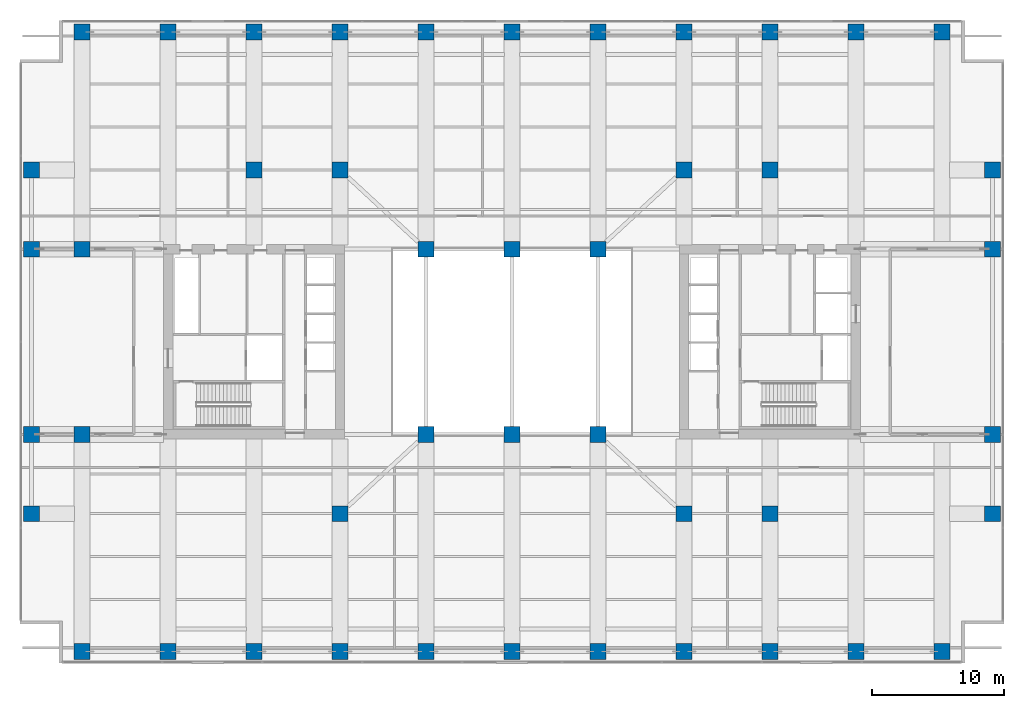
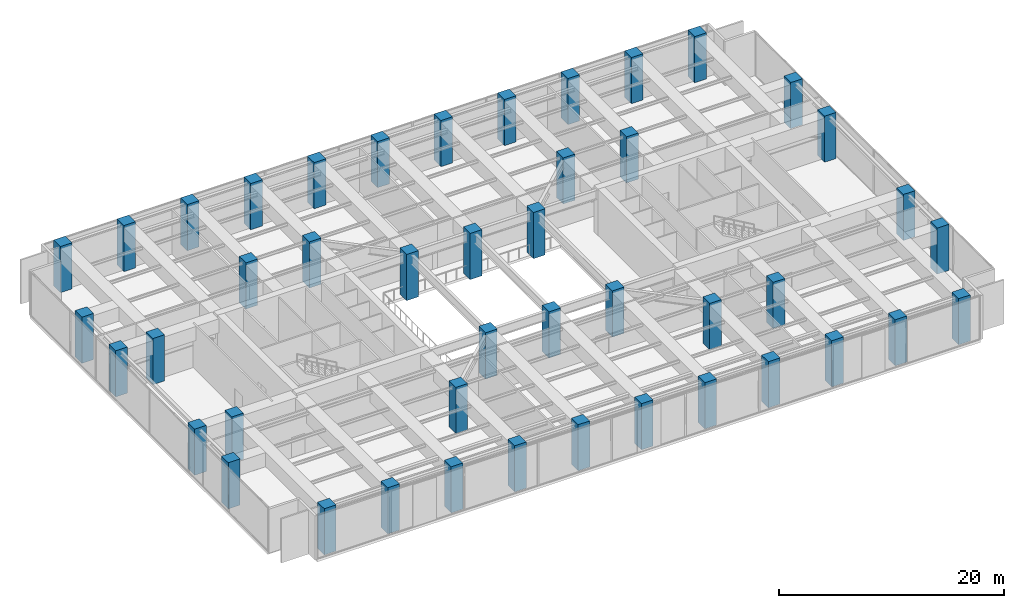
# One storey, part 1 of 28: 45 columns.
"""IFC4 building model written with IfcOpenShell, lengths in metres."""

from ifc_helpers import new_model, si_unit, direction, frame, origin, origin_2d, place, context, subcontext, project, spatial, rectangle, extrude, material, material_profile, profile_set, type_object, element, save


model = new_model("IFC4")

# Units and contexts
model_context = context("Model", 3, precision=1e-05, world=origin(), true_north=direction((0.0, 1.0)))
body_context = subcontext(model_context, "Body", "Model", "MODEL_VIEW")
ifc_project = project(units=[si_unit("LENGTHUNIT", "METRE"), si_unit("AREAUNIT", "SQUARE_METRE"), si_unit("VOLUMEUNIT", "CUBIC_METRE"), si_unit("PLANEANGLEUNIT", "RADIAN"), si_unit("MASSUNIT", "GRAM", prefix="KILO")], contexts=[model_context])

# Site, building, storey
site_placement = place(None, origin())
site = spatial("IfcSite", under=ifc_project, at=site_placement, CompositionType="ELEMENT")
building_placement = place(site_placement, origin())
building = spatial("IfcBuilding", under=site, at=building_placement, Name="Putna Gate Headquarters", CompositionType="ELEMENT")
storey_placement = place(building_placement, frame((0.0, 0.0, 139.199951171875)))
storey = spatial("IfcBuildingStorey", under=building, at=storey_placement, Name="L34", CompositionType="ELEMENT", Elevation=139.199951171875)

# Columns
ifc_material = material(Name="Concrete C60/75", Category="concrete")
ifc_material_profile_1 = material_profile(ifc_material, rectangle(XDim=1.199951171875, YDim=1.199951171875, at=origin_2d()), Name="Concrete C60/75")
ifc_profile_set_1 = profile_set([ifc_material_profile_1], Name="Concrete C60/75")
column_type_1 = type_object("IfcColumnType", Name="COL-RC1200-EXT", PredefinedType="COLUMN", material=ifc_profile_set_1)
for number, where, z_axis, x_axis, name in (
    (1, (6.5, 2.580078125, 0.0), (0.0, 0.0, 1.0), (1.0, 0.0, 0.0), "L34 Column CP-S6"),
    (2, (6.5, 49.419921875, 0.0), (0.0, 0.0, 1.0), (1.0, 0.0, 0.0), "L34 Column CP-N6"),
    (3, (13.0, 2.580078125, 0.0), (0.0, 0.0, 1.0), (1.0, 0.0, 0.0), "L34 Column CP-S13"),
    (4, (13.0, 49.419921875, 0.0), (0.0, 0.0, 1.0), (1.0, 0.0, 0.0), "L34 Column CP-N13"),
    (5, (19.5, 2.580078125, 0.0), (0.0, 0.0, 1.0), (1.0, 0.0, 0.0), "L34 Column CP-S19"),
    (6, (19.5, 49.419921875, 0.0), (0.0, 0.0, 1.0), (1.0, 0.0, 0.0), "L34 Column CP-N19"),
    (7, (26.0, 2.580078125, 0.0), (0.0, 0.0, 1.0), (1.0, 0.0, 0.0), "L34 Column CP-S26"),
    (8, (26.0, 49.419921875, 0.0), (0.0, 0.0, 1.0), (1.0, 0.0, 0.0), "L34 Column CP-N26"),
    (9, (32.5, 2.580078125, 0.0), (0.0, 0.0, 1.0), (1.0, 0.0, 0.0), "L34 Column CP-S32"),
    (10, (32.5, 49.419921875, 0.0), (0.0, 0.0, 1.0), (1.0, 0.0, 0.0), "L34 Column CP-N32"),
    (11, (39.0, 2.580078125, 0.0), (0.0, 0.0, 1.0), (1.0, 0.0, 0.0), "L34 Column CP-S39"),
    (12, (39.0, 49.419921875, 0.0), (0.0, 0.0, 1.0), (1.0, 0.0, 0.0), "L34 Column CP-N39"),
    (13, (45.5, 2.580078125, 0.0), (0.0, 0.0, 1.0), (1.0, 0.0, 0.0), "L34 Column CP-S45"),
    (14, (45.5, 49.419921875, 0.0), (0.0, 0.0, 1.0), (1.0, 0.0, 0.0), "L34 Column CP-N45"),
    (15, (52.0, 2.580078125, 0.0), (0.0, 0.0, 1.0), (1.0, 0.0, 0.0), "L34 Column CP-S52"),
    (16, (52.0, 49.419921875, 0.0), (0.0, 0.0, 1.0), (1.0, 0.0, 0.0), "L34 Column CP-N52"),
    (17, (58.5, 2.580078125, 0.0), (0.0, 0.0, 1.0), (1.0, 0.0, 0.0), "L34 Column CP-S58"),
    (18, (58.5, 49.419921875, 0.0), (0.0, 0.0, 1.0), (1.0, 0.0, 0.0), "L34 Column CP-N58"),
    (19, (65.0, 2.580078125, 0.0), (0.0, 0.0, 1.0), (1.0, 0.0, 0.0), "L34 Column CP-S65"),
    (20, (65.0, 49.419921875, 0.0), (0.0, 0.0, 1.0), (1.0, 0.0, 0.0), "L34 Column CP-N65"),
    (21, (71.5, 2.580078125, 0.0), (0.0, 0.0, 1.0), (1.0, 0.0, 0.0), "L34 Column CP-S71"),
    (22, (71.5, 49.419921875, 0.0), (0.0, 0.0, 1.0), (1.0, 0.0, 0.0), "L34 Column CP-N71"),
    (23, (2.679931640625, 13.0, 0.0), (0.0, 0.0, 1.0), (1.0, 0.0, 0.0), "L34 Column CP-W13"),
    (24, (75.320068359375, 13.0, 0.0), (0.0, 0.0, 1.0), (1.0, 0.0, 0.0), "L34 Column CP-E13"),
    (25, (2.679931640625, 19.0, 0.0), (0.0, 0.0, 1.0), (1.0, 0.0, 0.0), "L34 Column CP-W19"),
    (26, (75.320068359375, 19.0, 0.0), (0.0, 0.0, 1.0), (1.0, 0.0, 0.0), "L34 Column CP-E19"),
    (27, (2.679931640625, 33.0, 0.0), (0.0, 0.0, 1.0), (1.0, 0.0, 0.0), "L34 Column CP-W33"),
    (28, (75.320068359375, 33.0, 0.0), (0.0, 0.0, 1.0), (1.0, 0.0, 0.0), "L34 Column CP-E33"),
    (29, (2.679931640625, 39.0, 0.0), (0.0, 0.0, 1.0), (1.0, 0.0, 0.0), "L34 Column CP-W39"),
    (30, (75.320068359375, 39.0, 0.0), (0.0, 0.0, 1.0), (1.0, 0.0, 0.0), "L34 Column CP-E39"),
):
    element("IfcColumn", number, at=place(storey_placement, frame(where, z_axis=z_axis, x_axis=x_axis)), inside=storey, type_object=column_type_1, Name=name, PredefinedType="COLUMN", context=body_context, shape_type="SweptSolid", body=[
        extrude(rectangle(XDim=1.199951171875, YDim=1.199951171875, at=origin_2d()), origin(), (0.0, 0.0, 1.0), 5.0),
    ])
ifc_material_profile_2 = material_profile(ifc_material, rectangle(XDim=1.199951171875, YDim=1.199951171875, at=origin_2d()), Name="Concrete C60/75")
ifc_profile_set_2 = profile_set([ifc_material_profile_2], Name="Concrete C60/75")
column_type_2 = type_object("IfcColumnType", Name="COL-RC1200-INT", PredefinedType="COLUMN", material=ifc_profile_set_2)
for number, where, z_axis, x_axis, name in (
    (31, (19.5, 39.0, 0.0), (0.0, 0.0, 1.0), (1.0, 0.0, 0.0), "L34 Column CSI-WN"),
    (32, (58.5, 13.0, 0.0), (0.0, 0.0, 1.0), (1.0, 0.0, 0.0), "L34 Column CSI-ES"),
    (33, (58.5, 39.0, 0.0), (0.0, 0.0, 1.0), (1.0, 0.0, 0.0), "L34 Column CSI-EN"),
    (34, (6.5, 19.0, 0.0), (0.0, 0.0, 1.0), (1.0, 0.0, 0.0), "L34 Column CSI-WM"),
    (35, (6.5, 33.0, 0.0), (0.0, 0.0, 1.0), (1.0, 0.0, 0.0), "L34 Column CSI-WNW"),
    (36, (32.5, 19.0, 0.0), (0.0, 0.0, 1.0), (1.0, 0.0, 0.0), "L34 Column CAI-S32"),
    (37, (32.5, 33.0, 0.0), (0.0, 0.0, 1.0), (1.0, 0.0, 0.0), "L34 Column CAI-N32"),
    (38, (39.0, 19.0, 0.0), (0.0, 0.0, 1.0), (1.0, 0.0, 0.0), "L34 Column CAI-S39"),
    (39, (39.0, 33.0, 0.0), (0.0, 0.0, 1.0), (1.0, 0.0, 0.0), "L34 Column CAI-N39"),
    (40, (45.5, 19.0, 0.0), (0.0, 0.0, 1.0), (1.0, 0.0, 0.0), "L34 Column CAI-S45"),
    (41, (45.5, 33.0, 0.0), (0.0, 0.0, 1.0), (1.0, 0.0, 0.0), "L34 Column CAI-N45"),
    (42, (26.0, 13.0, 0.0), (0.0, 0.0, 1.0), (1.0, 0.0, 0.0), "L34 Column CAP-WS"),
    (43, (26.0, 39.0, 0.0), (0.0, 0.0, 1.0), (1.0, 0.0, 0.0), "L34 Column CAP-WN"),
    (44, (52.0, 13.0, 0.0), (0.0, 0.0, 1.0), (1.0, 0.0, 0.0), "L34 Column CAP-ES"),
    (45, (52.0, 39.0, 0.0), (0.0, 0.0, 1.0), (1.0, 0.0, 0.0), "L34 Column CAP-EN"),
):
    element("IfcColumn", number, at=place(storey_placement, frame(where, z_axis=z_axis, x_axis=x_axis)), inside=storey, type_object=column_type_2, Name=name, PredefinedType="COLUMN", context=body_context, shape_type="SweptSolid", body=[
        extrude(rectangle(XDim=1.199951171875, YDim=1.199951171875, at=origin_2d()), origin(), (0.0, 0.0, 1.0), 5.0),
    ])

save(model, "model.ifc")
